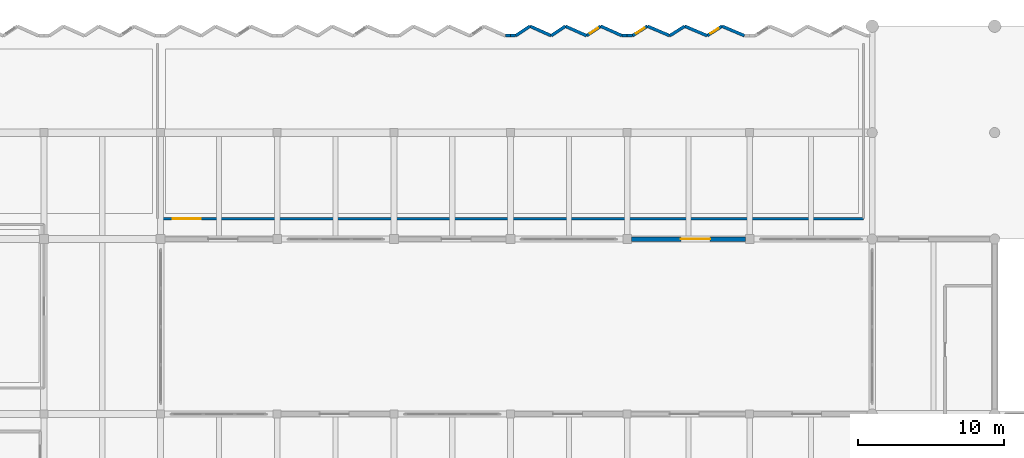
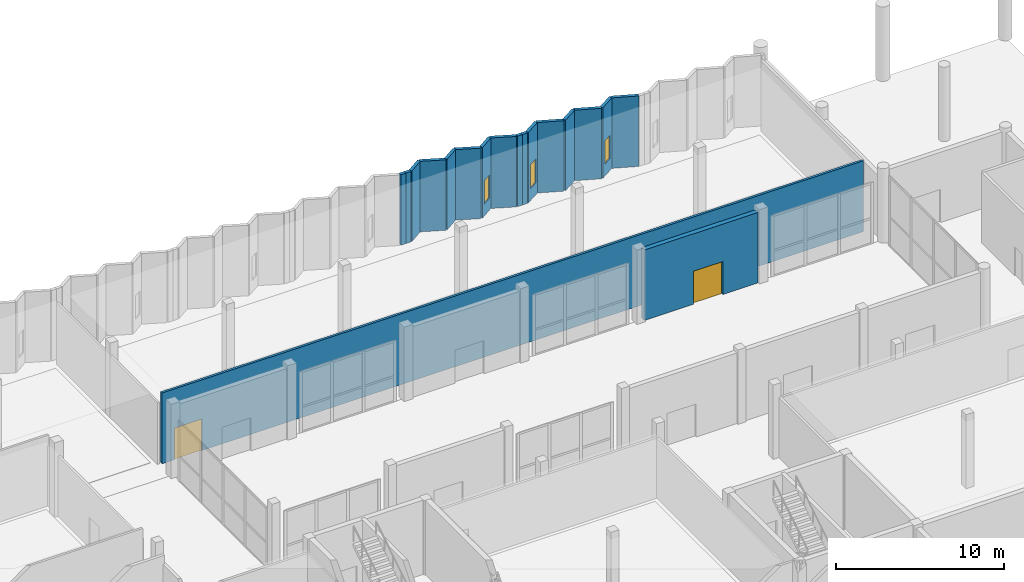
# One storey, part 28 of 41: 18 walls, 3 windows, 2 doors, 5 openings.
"""IFC4 building model written with IfcOpenShell, lengths in metres."""

from ifc_helpers import new_model, si_unit, direction, frame, frame_2d, origin, place, context, subcontext, project, spatial, rectangle, extrude, material, layer, layer_set, type_object, element, fill, save


model = new_model("IFC4")

# Units and contexts
model_context = context("Model", 3, precision=1e-05, world=origin(), true_north=direction((0.0, 1.0)))
body_context = subcontext(model_context, "Body", "Model", "MODEL_VIEW")
ifc_project = project(units=[si_unit("LENGTHUNIT", "METRE"), si_unit("AREAUNIT", "SQUARE_METRE"), si_unit("VOLUMEUNIT", "CUBIC_METRE"), si_unit("PLANEANGLEUNIT", "RADIAN"), si_unit("MASSUNIT", "GRAM", prefix="KILO")], contexts=[model_context])

# Site, building, storey
site_placement = place(None, origin())
site = spatial("IfcSite", under=ifc_project, at=site_placement, CompositionType="ELEMENT")
building_placement = place(site_placement, origin())
building = spatial("IfcBuilding", under=site, at=building_placement, Name="Vharandega Faculty of Natural Sciences", CompositionType="ELEMENT")
storey_placement = place(building_placement, origin())
storey = spatial("IfcBuildingStorey", under=building, at=storey_placement, Name="L00", CompositionType="ELEMENT", Elevation=0.0)

# Walls
ifc_material_1 = material(Name="Precast concrete C40/50", Category="concrete")
ifc_layer_1 = layer(ifc_material_1, 0.2099609375, Name="Precast concrete C40/50")
ifc_layer_set_1 = layer_set([ifc_layer_1], Name="Precast concrete C40/50")
wall_type_1 = type_object("IfcWallType", Name="Commons Sawtooth Street Wall 210", PredefinedType="SOLIDWALL", material=ifc_layer_set_1)
for number, where, z_axis, x_axis, name in (
    (1, (47.64990234375, 110.949951171875, 0.0), (0.0, 0.0, 1.0), (1.0, 0.0, 0.0), "Exterior Wall EW-V2SHL-L00-7R"),
    (2, (48.0, 110.949951171875, 0.0), (0.0, 0.0, 1.0), (1.0, 0.0, 0.0), "Exterior Wall EW-V2SHL-L00-7L"),
    (3, (55.64990234375, 110.949951171875, 0.0), (0.0, 0.0, 1.0), (1.0, 0.0, 0.0), "Exterior Wall EW-V2SHL-L00-8R"),
    (4, (56.0, 110.949951171875, 0.0), (0.0, 0.0, 1.0), (1.0, 0.0, 0.0), "Exterior Wall EW-V2SHL-L00-8L"),
):
    element("IfcWall", number, at=place(storey_placement, frame(where, z_axis=z_axis, x_axis=x_axis)), inside=storey, type_object=wall_type_1, Name=name, PredefinedType="SOLIDWALL", context=body_context, shape_type="SweptSolid", body=[
        extrude(rectangle(XDim=0.35009765625, YDim=0.2099609375, at=frame_2d((0.175048828125, 0.0))), origin(), (0.0, 0.0, 1.0), 5.1201171875),
    ])
wall_1_placement = place(storey_placement, frame((48.360107421875, 110.949951171875, 0.0), z_axis=(0.0, 0.0, 1.0), x_axis=(0.830858868059, 0.556483190553, 0.0)))
element("IfcWall", 5, at=wall_1_placement, inside=storey, type_object=wall_type_1, Name="Exterior Wall EW-V2SAW-L00-19G", PredefinedType="SOLIDWALL", context=body_context, shape_type="SweptSolid", body=[
    extrude(rectangle(XDim=1.168212890625, YDim=0.2099609375, at=frame_2d((0.583984375, 0.0))), origin(), (0.0, 0.0, 1.0), 5.1201171875),
])
wall_2_placement = place(storey_placement, frame((49.330810546875, 111.60009765625, 0.0), z_axis=(0.0, 0.0, 1.0), x_axis=(0.913083928543, -0.407771675618, 0.0)))
element("IfcWall", 6, at=wall_2_placement, inside=storey, type_object=wall_type_1, Name="Exterior Wall EW-V2SAW-L00-19S", PredefinedType="SOLIDWALL", context=body_context, shape_type="SweptSolid", body=[
    extrude(rectangle(XDim=1.594482421875, YDim=0.2099609375, at=frame_2d((0.79736328125, 0.0))), origin(), (0.0, 0.0, 1.0), 5.1201171875),
])
wall_3_placement = place(storey_placement, frame((50.78662109375, 110.949951171875, 0.0), z_axis=(0.0, 0.0, 1.0), x_axis=(0.830858868059, 0.556483190553, 0.0)))
element("IfcWall", 7, at=wall_3_placement, inside=storey, type_object=wall_type_1, Name="Exterior Wall EW-V2SAW-L00-20G", PredefinedType="SOLIDWALL", context=body_context, shape_type="SweptSolid", body=[
    extrude(rectangle(XDim=1.168212890625, YDim=0.2099609375, at=frame_2d((0.583984375, 0.0))), origin(), (0.0, 0.0, 1.0), 5.1201171875),
])
wall_4_placement = place(storey_placement, frame((51.75732421875, 111.60009765625, 0.0), z_axis=(0.0, 0.0, 1.0), x_axis=(0.913109384471, -0.407714669826, 0.0)))
element("IfcWall", 8, at=wall_4_placement, inside=storey, type_object=wall_type_1, Name="Exterior Wall EW-V2SAW-L00-20S", PredefinedType="SOLIDWALL", context=body_context, shape_type="SweptSolid", body=[
    extrude(rectangle(XDim=1.5947265625, YDim=0.2099609375, at=frame_2d((0.79736328125, 0.0))), origin(), (0.0, 0.0, 1.0), 5.1201171875),
])

# Wall, opening, window
wall_5_placement = place(storey_placement, frame((53.21337890625, 110.949951171875, 0.0), z_axis=(0.0, 0.0, 1.0), x_axis=(0.830858868059, 0.556483190553, 0.0)))
wall_5 = element("IfcWall", 9, at=wall_5_placement, inside=storey, type_object=wall_type_1, Name="Exterior Wall EW-V2SAW-L00-21G", PredefinedType="SOLIDWALL", context=body_context, shape_type="SweptSolid", body=[
    extrude(rectangle(XDim=1.168212890625, YDim=0.2099609375, at=frame_2d((0.583984375, 0.0))), origin(), (0.0, 0.0, 1.0), 5.1201171875),
])
opening_1_placement = place(wall_5_placement, frame((0.280029296875, 0.0, 0.85009765625)))
opening_1 = element("IfcOpeningElement", 10, at=opening_1_placement, cuts=wall_5, Name="Opening WN-07", PredefinedType="OPENING", context=body_context, shape_type="SweptSolid", body=[
    extrude(rectangle(XDim=0.64990234375, YDim=1.699951171875, at=frame_2d((0.324951171875, 0.85009765625))), frame((0.0, 0.114990234375, 0.0), z_axis=(0.0, -1.0, 0.0), x_axis=(1.0, 0.0, 0.0)), (0.0, 0.0, 1.0), 0.22998046875),
])
ifc_material_2 = material(Name="Double-glazed solar-control glass in thermally broken aluminium frame", Category="aluminium")
window_type_1 = type_object("IfcWindowType", Name="WIN-COM-065x170", PartitioningType="SINGLE_PANEL", PredefinedType="WINDOW", material=ifc_material_2)
window_1_placement = place(opening_1_placement, origin())
window_1 = element("IfcWindow", 11, at=window_1_placement, inside=storey, type_object=window_type_1, Name="Window WIN-L00-0153", OverallHeight=1.699951171875, OverallWidth=0.64990234375, PartitioningType="SINGLE_PANEL", PredefinedType="WINDOW", context=body_context, shape_type="SweptSolid", body=[
    extrude(rectangle(XDim=0.64990234375, YDim=1.699951171875, at=frame_2d((0.324951171875, 0.85009765625))), frame((0.0, 0.030029296875, 0.0), z_axis=(0.0, -1.0, 0.0), x_axis=(1.0, 0.0, 0.0)), (0.0, 0.0, 1.0), 0.06005859375),
])
fill(opening_1, window_1)

# Wall
wall_6_placement = place(storey_placement, frame((54.18408203125, 111.60009765625, 0.0), z_axis=(0.0, 0.0, 1.0), x_axis=(0.913083928543, -0.407771675618, 0.0)))
element("IfcWall", 12, at=wall_6_placement, inside=storey, type_object=wall_type_1, Name="Exterior Wall EW-V2SAW-L00-21S", PredefinedType="SOLIDWALL", context=body_context, shape_type="SweptSolid", body=[
    extrude(rectangle(XDim=1.594482421875, YDim=0.2099609375, at=frame_2d((0.79736328125, 0.0))), origin(), (0.0, 0.0, 1.0), 5.1201171875),
])

# Wall, opening, window
wall_7_placement = place(storey_placement, frame((56.360107421875, 110.949951171875, 0.0), z_axis=(0.0, 0.0, 1.0), x_axis=(0.844199803058, 0.536028630315, 0.0)))
wall_7 = element("IfcWall", 13, at=wall_7_placement, inside=storey, type_object=wall_type_1, Name="Exterior Wall EW-V2SAW-L00-22G", PredefinedType="SOLIDWALL", context=body_context, shape_type="SweptSolid", body=[
    extrude(rectangle(XDim=1.212890625, YDim=0.2099609375, at=frame_2d((0.6064453125, 0.0))), origin(), (0.0, 0.0, 1.0), 5.1201171875),
])
opening_2_placement = place(wall_7_placement, frame((0.280029296875, 0.0, 0.85009765625)))
opening_2 = element("IfcOpeningElement", 14, at=opening_2_placement, cuts=wall_7, Name="Opening WN-08", PredefinedType="OPENING", context=body_context, shape_type="SweptSolid", body=[
    extrude(rectangle(XDim=0.699951171875, YDim=1.75, at=frame_2d((0.35009765625, 0.875))), frame((0.0, 0.114990234375, 0.0), z_axis=(0.0, -1.0, 0.0), x_axis=(1.0, 0.0, 0.0)), (0.0, 0.0, 1.0), 0.22998046875),
])
ifc_material_3 = material(Name="Double-glazed solar-control glass in thermally broken aluminium frame", Category="aluminium")
window_type_2 = type_object("IfcWindowType", Name="WIN-COM-070x175", PartitioningType="SINGLE_PANEL", PredefinedType="WINDOW", material=ifc_material_3)
window_2_placement = place(opening_2_placement, origin())
window_2 = element("IfcWindow", 15, at=window_2_placement, inside=storey, type_object=window_type_2, Name="Window WIN-L00-0154", OverallHeight=1.75, OverallWidth=0.699951171875, PartitioningType="SINGLE_PANEL", PredefinedType="WINDOW", context=body_context, shape_type="SweptSolid", body=[
    extrude(rectangle(XDim=0.699951171875, YDim=1.75, at=frame_2d((0.35009765625, 0.875))), frame((0.0, 0.030029296875, 0.0), z_axis=(0.0, -1.0, 0.0), x_axis=(1.0, 0.0, 0.0)), (0.0, 0.0, 1.0), 0.06005859375),
])
fill(opening_2, window_2)

# Walls
wall_8_placement = place(storey_placement, frame((57.384033203125, 111.60009765625, 0.0), z_axis=(0.0, 0.0, 1.0), x_axis=(0.920892481687, -0.389816671234, 0.0)))
element("IfcWall", 16, at=wall_8_placement, inside=storey, type_object=wall_type_1, Name="Exterior Wall EW-V2SAW-L00-22S", PredefinedType="SOLIDWALL", context=body_context, shape_type="SweptSolid", body=[
    extrude(rectangle(XDim=1.667724609375, YDim=0.2099609375, at=frame_2d((0.833984375, 0.0))), origin(), (0.0, 0.0, 1.0), 5.1201171875),
])
wall_9_placement = place(storey_placement, frame((58.919921875, 110.949951171875, 0.0), z_axis=(0.0, 0.0, 1.0), x_axis=(0.844257623592, 0.535937557003, 0.0)))
element("IfcWall", 17, at=wall_9_placement, inside=storey, type_object=wall_type_1, Name="Exterior Wall EW-V2SAW-L00-23G", PredefinedType="SOLIDWALL", context=body_context, shape_type="SweptSolid", body=[
    extrude(rectangle(XDim=1.213134765625, YDim=0.2099609375, at=frame_2d((0.6064453125, 0.0))), origin(), (0.0, 0.0, 1.0), 5.1201171875),
])
wall_10_placement = place(storey_placement, frame((59.944091796875, 111.60009765625, 0.0), z_axis=(0.0, 0.0, 1.0), x_axis=(0.920892481687, -0.389816671234, 0.0)))
element("IfcWall", 18, at=wall_10_placement, inside=storey, type_object=wall_type_1, Name="Exterior Wall EW-V2SAW-L00-23S", PredefinedType="SOLIDWALL", context=body_context, shape_type="SweptSolid", body=[
    extrude(rectangle(XDim=1.667724609375, YDim=0.2099609375, at=frame_2d((0.833984375, 0.0))), origin(), (0.0, 0.0, 1.0), 5.1201171875),
])

# Wall, opening, window
wall_11_placement = place(storey_placement, frame((61.47998046875, 110.949951171875, 0.0), z_axis=(0.0, 0.0, 1.0), x_axis=(0.844199803058, 0.536028630315, 0.0)))
wall_11 = element("IfcWall", 19, at=wall_11_placement, inside=storey, type_object=wall_type_1, Name="Exterior Wall EW-V2SAW-L00-24G", PredefinedType="SOLIDWALL", context=body_context, shape_type="SweptSolid", body=[
    extrude(rectangle(XDim=1.212890625, YDim=0.2099609375, at=frame_2d((0.6064453125, 0.0))), origin(), (0.0, 0.0, 1.0), 5.1201171875),
])
opening_3_placement = place(wall_11_placement, frame((0.280029296875, 0.0, 0.85009765625)))
opening_3 = element("IfcOpeningElement", 20, at=opening_3_placement, cuts=wall_11, Name="Opening WN-07", PredefinedType="OPENING", context=body_context, shape_type="SweptSolid", body=[
    extrude(rectangle(XDim=0.64990234375, YDim=1.699951171875, at=frame_2d((0.324951171875, 0.85009765625))), frame((0.0, 0.114990234375, 0.0), z_axis=(0.0, -1.0, 0.0), x_axis=(1.0, 0.0, 0.0)), (0.0, 0.0, 1.0), 0.22998046875),
])
window_3_placement = place(opening_3_placement, origin())
window_3 = element("IfcWindow", 21, at=window_3_placement, inside=storey, type_object=window_type_1, Name="Window WIN-L00-0155", OverallHeight=1.699951171875, OverallWidth=0.64990234375, PartitioningType="SINGLE_PANEL", PredefinedType="WINDOW", context=body_context, shape_type="SweptSolid", body=[
    extrude(rectangle(XDim=0.64990234375, YDim=1.699951171875, at=frame_2d((0.324951171875, 0.85009765625))), frame((0.0, 0.030029296875, 0.0), z_axis=(0.0, -1.0, 0.0), x_axis=(1.0, 0.0, 0.0)), (0.0, 0.0, 1.0), 0.06005859375),
])
fill(opening_3, window_3)

# Wall
wall_12_placement = place(storey_placement, frame((62.50390625, 111.60009765625, 0.0), z_axis=(0.0, 0.0, 1.0), x_axis=(0.920914721045, -0.389764129393, 0.0)))
element("IfcWall", 22, at=wall_12_placement, inside=storey, type_object=wall_type_1, Name="Exterior Wall EW-V2SAW-L00-24S", PredefinedType="SOLIDWALL", context=body_context, shape_type="SweptSolid", body=[
    extrude(rectangle(XDim=1.66796875, YDim=0.2099609375, at=frame_2d((0.833984375, 0.0))), origin(), (0.0, 0.0, 1.0), 5.1201171875),
])

# Wall, opening, door
ifc_material_4 = material(Name="Granite ashlar masonry 25 MPa", Category="masonry")
ifc_layer_2 = layer(ifc_material_4, 0.320068359375, Name="Granite ashlar masonry 25 MPa")
ifc_layer_set_2 = layer_set([ifc_layer_2], Name="Granite ashlar masonry 25 MPa")
wall_type_2 = type_object("IfcWallType", Name="Harare Granite Plinth Wall 320", PredefinedType="SOLIDWALL", material=ifc_layer_set_2)
wall_13_placement = place(storey_placement, frame((64.10205078125, 97.0, 0.0), z_axis=(0.0, 0.0, 1.0), x_axis=(-1.0, 0.0, 0.0)))
wall_13 = element("IfcWall", 23, at=wall_13_placement, inside=storey, type_object=wall_type_2, Name="Exterior Wall EW-L00-V2CRT-5", PredefinedType="SOLIDWALL", context=body_context, shape_type="SweptSolid", body=[
    extrude(rectangle(XDim=7.803955078125, YDim=0.320068359375, at=frame_2d((3.90185546875, 0.0))), origin(), (0.0, 0.0, 1.0), 5.1201171875),
])
opening_4_placement = place(wall_13_placement, frame((2.422119140625, 0.0, 0.0)))
opening_4 = element("IfcOpeningElement", 24, at=opening_4_placement, cuts=wall_13, Name="Opening ED-V2C5", PredefinedType="OPENING", context=body_context, shape_type="SweptSolid", body=[
    extrude(rectangle(XDim=2.0, YDim=2.39990234375, at=frame_2d((1.0, 1.199951171875))), frame((0.0, 0.169921875, 0.0), z_axis=(0.0, -1.0, 0.0), x_axis=(1.0, 0.0, 0.0)), (0.0, 0.0, 1.0), 0.340087890625),
])
ifc_material_5 = material(Name="Thermally broken glazed aluminium door", Category="aluminium")
door_type_1 = type_object("IfcDoorType", Name="EXT-ENTRY-DBL-2000x2400", OperationType="DOUBLE_DOOR_SINGLE_SWING", PredefinedType="DOOR", material=ifc_material_5)
door_1_placement = place(opening_4_placement, origin())
door_1 = element("IfcDoor", 25, at=door_1_placement, inside=storey, type_object=door_type_1, Name="Courtyard Commons Exit 5 ED-V2C5", OperationType="DOUBLE_DOOR_SINGLE_SWING", OverallHeight=2.39990234375, OverallWidth=2.0, PredefinedType="DOOR", context=body_context, shape_type="SweptSolid", body=[
    extrude(rectangle(XDim=2.0, YDim=2.39990234375, at=frame_2d((1.0, 1.199951171875))), frame((0.0, 0.02490234375, 0.0), z_axis=(0.0, -1.0, 0.0), x_axis=(1.0, 0.0, 0.0)), (0.0, 0.0, 1.0), 0.050048828125),
])
fill(opening_4, door_1)

ifc_material_6 = material(Name="Gypsum fire-board on steel stud", Category="steel")
ifc_layer_3 = layer(ifc_material_6, 0.159912109375, Name="Gypsum fire-board on steel stud")
ifc_layer_set_3 = layer_set([ifc_layer_3], Name="Gypsum fire-board on steel stud")
wall_type_3 = type_object("IfcWallType", Name="Laboratory Fire Corridor Wall 160", PredefinedType="PARTITIONING", material=ifc_layer_set_3)
wall_14_placement = place(storey_placement, frame((24.0, 98.39990234375, 0.0), z_axis=(0.0, 0.0, 1.0), x_axis=(1.0, 0.0, 0.0)))
wall_14 = element("IfcWall", 26, at=wall_14_placement, inside=storey, type_object=wall_type_3, Name="Interior Wall PW-L00-R12S", PredefinedType="PARTITIONING", context=body_context, shape_type="SweptSolid", body=[
    extrude(rectangle(XDim=48.199951171875, YDim=0.159912109375, at=frame_2d((24.10009765625, 0.0))), origin(), (0.0, 0.0, 1.0), 5.139892578125),
])
opening_5_placement = place(wall_14_placement, frame((0.8486328125, 0.0, 0.0)))
opening_5 = element("IfcOpeningElement", 27, at=opening_5_placement, cuts=wall_14, Name="Opening D0239", PredefinedType="OPENING", context=body_context, shape_type="SweptSolid", body=[
    extrude(rectangle(XDim=1.89990234375, YDim=2.300048828125, at=frame_2d((0.949951171875, 1.14990234375))), frame((0.0, 0.08984375, 0.0), z_axis=(0.0, -1.0, 0.0), x_axis=(1.0, 0.0, 0.0)), (0.0, 0.0, 1.0), 0.179931640625),
])
ifc_material_7 = material(Name="Solid-core hardwood timber fire door", Category="wood")
door_type_2 = type_object("IfcDoorType", Name="ID08-COMMONS-DBL-1900x2300", OperationType="DOUBLE_DOOR_SINGLE_SWING", PredefinedType="DOOR", material=ifc_material_7)
door_2_placement = place(opening_5_placement, origin())
door_2 = element("IfcDoor", 28, at=door_2_placement, inside=storey, type_object=door_type_2, Name="North Street Learning Commons Hall Door D0239", OperationType="DOUBLE_DOOR_SINGLE_SWING", OverallHeight=2.300048828125, OverallWidth=1.89990234375, PredefinedType="DOOR", context=body_context, shape_type="SweptSolid", body=[
    extrude(rectangle(XDim=1.89990234375, YDim=2.300048828125, at=frame_2d((0.949951171875, 1.14990234375))), frame((0.0, 0.02490234375, 0.0), z_axis=(0.0, -1.0, 0.0), x_axis=(1.0, 0.0, 0.0)), (0.0, 0.0, 1.0), 0.050048828125),
])
fill(opening_5, door_2)

save(model, "model.ifc")
